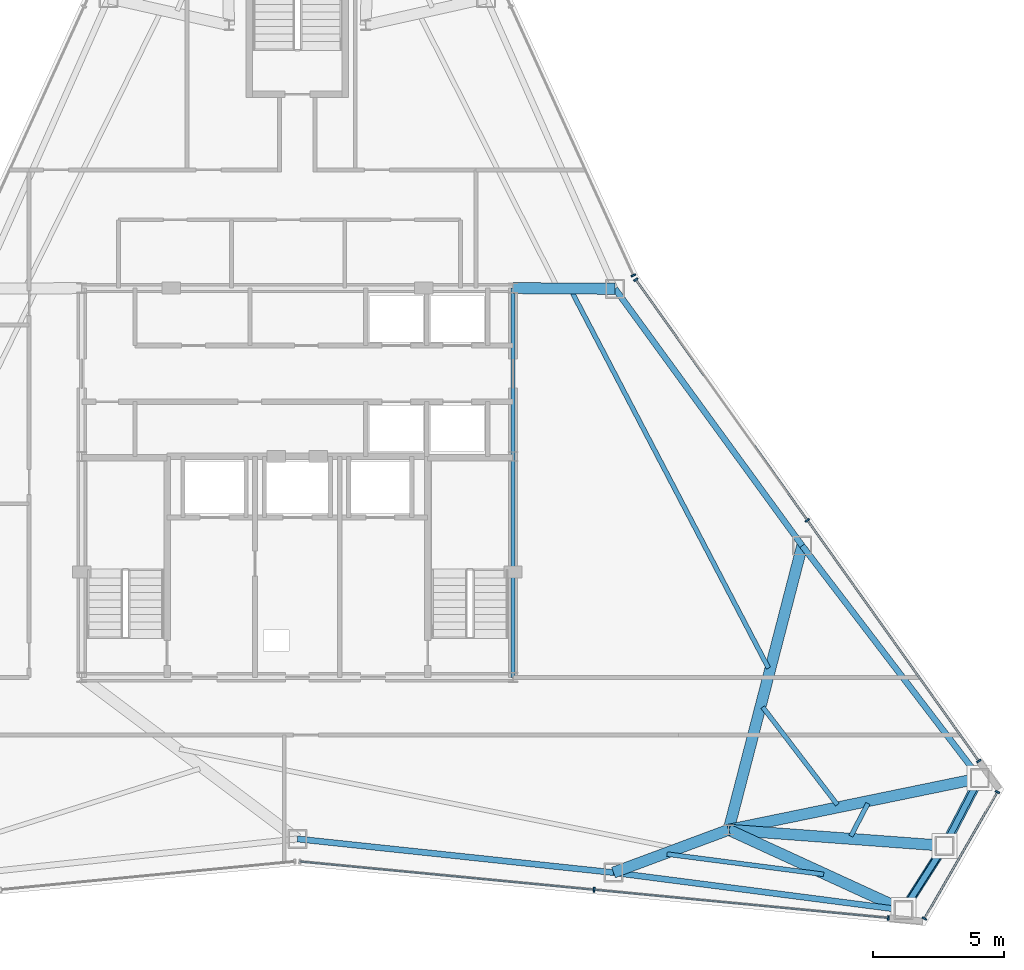
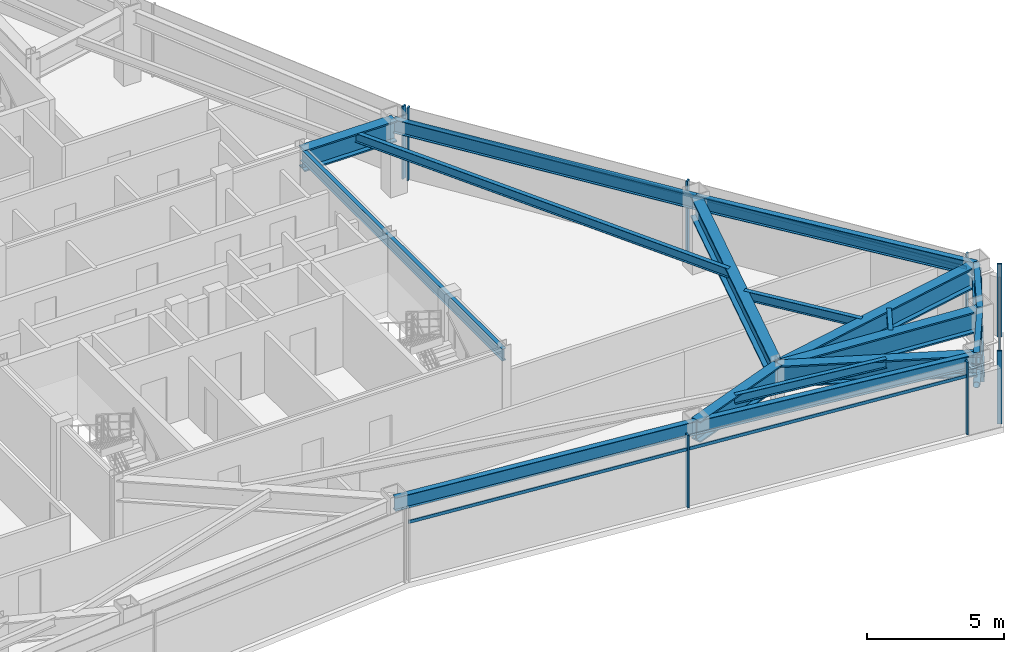
# One storey, part 6 of 12: 17 beams, 14 members, 4 elements without a shape of their own.
"""IFC4 building model written with IfcOpenShell, lengths in metres."""

from ifc_helpers import new_model, si_unit, direction, frame, origin, origin_2d, place, context, subcontext, project, spatial, rectangle, hollow_rectangle, hollow_circle, i_section, extrude, source, transform, mapped, material, layer, layer_set, material_profile, profile_set, type_object, type_shapes, element, aggregate, save


model = new_model("IFC4")

# Units and contexts
model_context = context("Model", 3, precision=1e-05, world=origin(), true_north=direction((0.0, 1.0)))
body_context = subcontext(model_context, "Body", "Model", "MODEL_VIEW")
ifc_project = project(units=[si_unit("LENGTHUNIT", "METRE"), si_unit("AREAUNIT", "SQUARE_METRE"), si_unit("VOLUMEUNIT", "CUBIC_METRE"), si_unit("PLANEANGLEUNIT", "RADIAN"), si_unit("MASSUNIT", "GRAM", prefix="KILO")], contexts=[model_context])

# Site, building, storey
site_placement = place(None, origin())
site = spatial("IfcSite", under=ifc_project, at=site_placement, CompositionType="ELEMENT")
building_placement = place(site_placement, origin())
building = spatial("IfcBuilding", under=site, at=building_placement, Name="Varakhsha Concourse Tower", CompositionType="ELEMENT")
storey_placement = place(building_placement, frame((0.0, 0.0, 243.39990234375)))
storey = spatial("IfcBuildingStorey", under=building, at=storey_placement, Name="L69", CompositionType="ELEMENT", Elevation=243.39990234375)

# Beams
ifc_material_1 = material(Name="Structural Steel ASTM A992 Grade 50", Category="steel")
ifc_material_profile_1 = material_profile(ifc_material_1, i_section(OverallWidth=0.177978515625, OverallDepth=0.406982421875, WebThickness=0.008056640625, FlangeThickness=0.012939453125, at=origin_2d()), Name="W16X40")
ifc_profile_set_1 = profile_set([ifc_material_profile_1], Name="Structural Steel ASTM A992 Grade 50")
beam_type_1 = type_object("IfcBeamType", Name="BM-JST-W16X40", PredefinedType="JOIST", material=ifc_profile_set_1)
beam_1_placement = place(storey_placement, frame((54.056396484375, 9.6748046875, 3.046630859375), z_axis=(0.991734895487, -0.128303924619, 0.0), x_axis=(0.128303924619, 0.991734895487, 0.0)))
element("IfcBeam", 1, at=beam_1_placement, inside=storey, type_object=beam_type_1, Name="BM-TJST-L69-12", PredefinedType="JOIST", context=body_context, shape_type="SweptSolid", body=[
    extrude(i_section(OverallWidth=0.177978515625, OverallDepth=0.406982421875, WebThickness=0.008056640625, FlangeThickness=0.012939453125, at=origin_2d()), origin(), (0.0, 0.0, 1.0), 6.009033203125),
])
beam_2_placement = place(storey_placement, frame((61.04833984375, 10.356689453125, 3.046630859375), z_axis=(0.461692171136, 0.887040212793, 0.0), x_axis=(-0.887040212793, 0.461692171136, 0.0)))
element("IfcBeam", 2, at=beam_2_placement, inside=storey, type_object=beam_type_1, Name="BM-TJST-L69-14", PredefinedType="JOIST", context=body_context, shape_type="SweptSolid", body=[
    extrude(i_section(OverallWidth=0.177978515625, OverallDepth=0.406982421875, WebThickness=0.008056640625, FlangeThickness=0.012939453125, at=origin_2d()), origin(), (0.0, 0.0, 1.0), 1.404052734375),
])
beam_3_placement = place(storey_placement, frame((60.53466796875, 11.551513671875, 3.046630859375), z_axis=(-0.606963389055, 0.794729793293, 0.0), x_axis=(-0.794729793293, -0.606963389055, 0.0)))
element("IfcBeam", 3, at=beam_3_placement, inside=storey, type_object=beam_type_1, Name="BM-TJST-L69-15", PredefinedType="JOIST", context=body_context, shape_type="SweptSolid", body=[
    extrude(i_section(OverallWidth=0.177978515625, OverallDepth=0.406982421875, WebThickness=0.008056640625, FlangeThickness=0.012939453125, at=origin_2d()), origin(), (0.0, 0.0, 1.0), 4.67431640625),
])
beam_4_placement = place(storey_placement, frame((57.915283203125, 16.747802734375, 3.046630859375), z_axis=(-0.463071311645, 0.88632102555, 0.0), x_axis=(-0.88632102555, -0.463071311645, 0.0)))
element("IfcBeam", 4, at=beam_4_placement, inside=storey, type_object=beam_type_1, Name="BM-TJST-L69-16", PredefinedType="JOIST", context=body_context, shape_type="SweptSolid", body=[
    extrude(i_section(OverallWidth=0.177978515625, OverallDepth=0.406982421875, WebThickness=0.008056640625, FlangeThickness=0.012939453125, at=origin_2d()), origin(), (0.0, 0.0, 1.0), 16.179443359375),
])
ifc_material_profile_2 = material_profile(ifc_material_1, i_section(OverallWidth=0.423095703125, OverallDepth=0.947998046875, WebThickness=0.0380859375, FlangeThickness=0.06396484375, at=origin_2d()), Name="W36X302")
ifc_profile_set_2 = profile_set([ifc_material_profile_2], Name="Structural Steel ASTM A992 Grade 50")
beam_type_2 = type_object("IfcBeamType", Name="BM-OUTR-W36X302", PredefinedType="USERDEFINED", material=ifc_profile_set_2)
beam_5_placement = place(storey_placement, frame((56.39990234375, 10.60009765625, 2.776123046875), z_axis=(-0.937398468599, -0.348258684125, 0.0), x_axis=(0.348258684125, -0.937398468599, 0.0)))
element("IfcBeam", 5, at=beam_5_placement, inside=storey, type_object=beam_type_2, Name="L69 Radial Floor Girder 12", ObjectType="GIRDER", PredefinedType="USERDEFINED", context=body_context, shape_type="SweptSolid", body=[
    extrude(i_section(OverallWidth=0.423095703125, OverallDepth=0.947998046875, WebThickness=0.0380859375, FlangeThickness=0.06396484375, at=origin_2d()), origin(), (0.0, 0.0, 1.0), 4.67236328125),
])
beam_6_placement = place(storey_placement, frame((56.39990234375, 10.60009765625, 2.776123046875), z_axis=(0.908783517298, -0.417267921948, 0.0), x_axis=(0.417267921948, 0.908783517298, 0.0)))
element("IfcBeam", 6, at=beam_6_placement, inside=storey, type_object=beam_type_2, Name="L69 Radial Floor Girder 13", ObjectType="GIRDER", PredefinedType="USERDEFINED", context=body_context, shape_type="SweptSolid", body=[
    extrude(i_section(OverallWidth=0.423095703125, OverallDepth=0.947998046875, WebThickness=0.0380859375, FlangeThickness=0.06396484375, at=origin_2d()), origin(), (0.0, 0.0, 1.0), 7.319580078125),
])
beam_7_placement = place(storey_placement, frame((56.39990234375, 10.60009765625, 2.776123046875), z_axis=(0.997263464351, -0.073929579132, 0.0), x_axis=(0.073929579132, 0.997263464351, 0.0)))
element("IfcBeam", 7, at=beam_7_placement, inside=storey, type_object=beam_type_2, Name="L69 Radial Floor Girder 14", ObjectType="GIRDER", PredefinedType="USERDEFINED", context=body_context, shape_type="SweptSolid", body=[
    extrude(i_section(OverallWidth=0.423095703125, OverallDepth=0.947998046875, WebThickness=0.0380859375, FlangeThickness=0.06396484375, at=origin_2d()), origin(), (0.0, 0.0, 1.0), 8.232666015625),
])
beam_8_placement = place(storey_placement, frame((56.39990234375, 10.60009765625, 2.776123046875), z_axis=(0.979503861801, 0.201425382503, 0.0), x_axis=(-0.201425382503, 0.979503861801, 0.0)))
element("IfcBeam", 8, at=beam_8_placement, inside=storey, type_object=beam_type_2, Name="L69 Radial Floor Girder 15", ObjectType="GIRDER", PredefinedType="USERDEFINED", context=body_context, shape_type="SweptSolid", body=[
    extrude(i_section(OverallWidth=0.423095703125, OverallDepth=0.947998046875, WebThickness=0.0380859375, FlangeThickness=0.06396484375, at=origin_2d()), origin(), (0.0, 0.0, 1.0), 9.74853515625),
])
beam_9_placement = place(storey_placement, frame((56.39990234375, 10.60009765625, 2.776123046875), z_axis=(0.250634171989, 0.968081872484, 0.0), x_axis=(-0.968081872484, 0.250634171989, 0.0)))
element("IfcBeam", 9, at=beam_9_placement, inside=storey, type_object=beam_type_2, Name="L69 Radial Floor Girder 16", ObjectType="GIRDER", PredefinedType="USERDEFINED", context=body_context, shape_type="SweptSolid", body=[
    extrude(i_section(OverallWidth=0.423095703125, OverallDepth=0.947998046875, WebThickness=0.0380859375, FlangeThickness=0.06396484375, at=origin_2d()), origin(), (0.0, 0.0, 1.0), 11.16015625),
])
beam_10_placement = place(storey_placement, frame((48.199951171875, 31.199951171875, 2.776123046875), z_axis=(0.999977325921, -0.00673406595, 0.0), x_axis=(0.00673406595, 0.999977325921, 0.0)))
element("IfcBeam", 10, at=beam_10_placement, inside=storey, type_object=beam_type_2, Name="L69 Radial Floor Girder 17", ObjectType="GIRDER", PredefinedType="USERDEFINED", context=body_context, shape_type="SweptSolid", body=[
    extrude(i_section(OverallWidth=0.423095703125, OverallDepth=0.947998046875, WebThickness=0.0380859375, FlangeThickness=0.06396484375, at=origin_2d()), origin(), (0.0, 0.0, 1.0), 3.879150390625),
])
ifc_material_profile_3 = material_profile(ifc_material_1, i_section(OverallWidth=0.1669921875, OverallDepth=0.534912109375, WebThickness=0.010009765625, FlangeThickness=0.01708984375, at=origin_2d()), Name="W21X57")
ifc_profile_set_3 = profile_set([ifc_material_profile_3], Name="Structural Steel ASTM A992 Grade 50")
beam_type_3 = type_object("IfcBeamType", Name="BM-RAD-W21X57", PredefinedType="BEAM", material=ifc_profile_set_3)
beam_11_placement = place(storey_placement, frame((48.199951171875, 16.39990234375, 2.982666015625), z_axis=(0.0, 1.0, 0.0), x_axis=(-1.0, 0.0, 0.0)))
element("IfcBeam", 11, at=beam_11_placement, inside=storey, type_object=beam_type_3, Name="BM-TCORE-L69-CE", PredefinedType="BEAM", context=body_context, shape_type="SweptSolid", body=[
    extrude(i_section(OverallWidth=0.1669921875, OverallDepth=0.534912109375, WebThickness=0.010009765625, FlangeThickness=0.01708984375, at=origin_2d()), origin(), (0.0, 0.0, 1.0), 14.800048828125),
])
ifc_material_profile_4 = material_profile(ifc_material_1, i_section(OverallWidth=0.22900390625, OverallDepth=0.612060546875, WebThickness=0.011962890625, FlangeThickness=0.02001953125, at=origin_2d()), Name="W24X84")
ifc_profile_set_4 = profile_set([ifc_material_profile_4], Name="Structural Steel ASTM A992 Grade 50")
beam_type_4 = type_object("IfcBeamType", Name="BM-SPAN-W24X84", PredefinedType="SPANDREL", material=ifc_profile_set_4)
beam_12_placement = place(storey_placement, frame((40.0, 10.252197265625, 2.944091796875), z_axis=(0.994383939653, -0.1058327953, 0.0), x_axis=(0.1058327953, 0.994383939653, 0.0)))
element("IfcBeam", 12, at=beam_12_placement, inside=storey, type_object=beam_type_4, Name="BM-SPAN-L69-11", PredefinedType="SPANDREL", context=body_context, shape_type="SweptSolid", body=[
    extrude(i_section(OverallWidth=0.22900390625, OverallDepth=0.612060546875, WebThickness=0.011962890625, FlangeThickness=0.02001953125, at=origin_2d()), origin(), (0.0, 0.0, 1.0), 12.087890625),
])
beam_13_placement = place(storey_placement, frame((52.02001953125, 8.972900390625, 2.944091796875), z_axis=(0.991737290812, -0.128285408418, 0.0), x_axis=(0.128285408418, 0.991737290812, 0.0)))
element("IfcBeam", 13, at=beam_13_placement, inside=storey, type_object=beam_type_4, Name="BM-SPAN-L69-12", PredefinedType="SPANDREL", context=body_context, shape_type="SweptSolid", body=[
    extrude(i_section(OverallWidth=0.22900390625, OverallDepth=0.612060546875, WebThickness=0.011962890625, FlangeThickness=0.02001953125, at=origin_2d()), origin(), (0.0, 0.0, 1.0), 11.12353515625),
])
beam_14_placement = place(storey_placement, frame((63.0517578125, 7.5458984375, 2.944091796875), z_axis=(0.537387469164, 0.843335465865, 0.0), x_axis=(-0.843335465865, 0.537387469164, 0.0)))
element("IfcBeam", 14, at=beam_14_placement, inside=storey, type_object=beam_type_4, Name="BM-SPAN-L69-13", PredefinedType="SPANDREL", context=body_context, shape_type="SweptSolid", body=[
    extrude(i_section(OverallWidth=0.22900390625, OverallDepth=0.612060546875, WebThickness=0.011962890625, FlangeThickness=0.02001953125, at=origin_2d()), origin(), (0.0, 0.0, 1.0), 2.89990234375),
])
beam_15_placement = place(storey_placement, frame((64.610107421875, 9.991455078125, 2.944091796875), z_axis=(0.461636364541, 0.887069257123, 0.0), x_axis=(-0.887069257123, 0.461636364541, 0.0)))
element("IfcBeam", 15, at=beam_15_placement, inside=storey, type_object=beam_type_4, Name="BM-SPAN-L69-14", PredefinedType="SPANDREL", context=body_context, shape_type="SweptSolid", body=[
    extrude(i_section(OverallWidth=0.22900390625, OverallDepth=0.612060546875, WebThickness=0.011962890625, FlangeThickness=0.02001953125, at=origin_2d()), origin(), (0.0, 0.0, 1.0), 2.899658203125),
])
beam_16_placement = place(storey_placement, frame((65.94873046875, 12.563720703125, 2.944091796875), z_axis=(-0.606965274868, 0.794728353027, 0.0), x_axis=(-0.794728353027, -0.606965274868, 0.0)))
element("IfcBeam", 16, at=beam_16_placement, inside=storey, type_object=beam_type_4, Name="BM-SPAN-L69-15", PredefinedType="SPANDREL", context=body_context, shape_type="SweptSolid", body=[
    extrude(i_section(OverallWidth=0.22900390625, OverallDepth=0.612060546875, WebThickness=0.011962890625, FlangeThickness=0.02001953125, at=origin_2d()), origin(), (0.0, 0.0, 1.0), 11.123779296875),
])
beam_17_placement = place(storey_placement, frame((59.197021484375, 21.404052734375, 2.944091796875), z_axis=(-0.588854814451, 0.808238830729, 0.0), x_axis=(-0.808238830729, -0.588854814451, 0.0)))
element("IfcBeam", 17, at=beam_17_placement, inside=storey, type_object=beam_type_4, Name="BM-SPAN-L69-16", PredefinedType="SPANDREL", context=body_context, shape_type="SweptSolid", body=[
    extrude(i_section(OverallWidth=0.22900390625, OverallDepth=0.612060546875, WebThickness=0.011962890625, FlangeThickness=0.02001953125, at=origin_2d()), origin(), (0.0, 0.0, 1.0), 12.087646484375),
])

# Members
ifc_material_2 = material(Name="Structural Steel ASTM A500 Grade C", Category="steel")
ifc_material_profile_5 = material_profile(ifc_material_2, hollow_rectangle(XDim=0.35009765625, YDim=0.35009765625, WallThickness=0.01611328125, at=origin_2d()), Name="HSS 350x350x16")
ifc_profile_set_5 = profile_set([ifc_material_profile_5], Name="Structural Steel ASTM A500 Grade C")
member_type_1 = type_object("IfcMemberType", Name="MB-TUBE-HSS350", PredefinedType="BRACE", material=ifc_profile_set_5)
shared_shape_1 = source(origin(), body_context, "Body", "SweptSolid", [
    extrude(hollow_rectangle(XDim=0.35009765625, YDim=0.35009765625, WallThickness=0.01611328125, at=origin_2d()), origin(), (0.0, 0.0, 1.0), 4.052001953125),
])
type_shapes(member_type_1, [shared_shape_1])
for number, where, z_axis, x_axis, name in (
    (18, (64.610107421875, 9.991455078125, 0.1201171875), (-0.384589647292, -0.603546059365, 0.69844323851), (0.843335465865, -0.537387469164, 0.0), "L69 Wind-Corner Tube Brace B05"),
    (19, (64.610107421875, 9.991455078125, 0.1201171875), (0.330370119642, 0.634831220234, 0.698458950736), (-0.887069257123, 0.461636364541, 0.0), "L69 Wind-Corner Tube Brace B06"),
):
    element("IfcMember", number, at=place(storey_placement, frame(where, z_axis=z_axis, x_axis=x_axis)), inside=storey, type_object=member_type_1, Name=name, PredefinedType="BRACE", context=body_context, shape_type="MappedRepresentation", body=[
        mapped(shared_shape_1, transform((0.0, 0.0, 0.0), scale=1.0)),
    ])
ifc_material_profile_6 = material_profile(ifc_material_2, hollow_circle(Radius=0.136474609375, WallThickness=0.011962890625, at=origin_2d()), Name="CHS 273x12")
ifc_profile_set_6 = profile_set([ifc_material_profile_6], Name="Structural Steel ASTM A500 Grade C")
member_type_2 = type_object("IfcMemberType", Name="MB-WIND-CHS273", PredefinedType="COLLAR", material=ifc_profile_set_6)
shared_shape_2 = source(origin(), body_context, "Body", "SweptSolid", [
    extrude(hollow_circle(Radius=0.136474609375, WallThickness=0.011962890625, at=origin_2d()), origin(), (0.0, 0.0, 1.0), 2.89990234375),
])
type_shapes(member_type_2, [shared_shape_2])
member_1_placement = place(storey_placement, frame((63.0517578125, 7.5458984375, 1.800048828125), z_axis=(0.537387469164, 0.843335465865, 0.0), x_axis=(-0.843335465865, 0.537387469164, 0.0)))
element("IfcMember", 20, at=member_1_placement, inside=storey, type_object=member_type_2, Name="L69 Wind-Corner Collar Tie 3", PredefinedType="COLLAR", context=body_context, shape_type="MappedRepresentation", body=[
    mapped(shared_shape_2, transform((0.0, 0.0, 0.0), scale=1.0)),
])

# Curtain wall, members
ifc_material_3 = material(Name="Anodised Bronze Architectural Aluminium AA 6063-T6", Category="aluminium")
ifc_layer = layer(ifc_material_3, 0.199951171875, Name="CW-SYS-05")
ifc_layer_set = layer_set([ifc_layer], Name="Anodised Bronze Architectural Aluminium AA 6063-T6")
curtain_wall_type = type_object("IfcCurtainWallType", Name="CW-SYS-05", PredefinedType="NOTDEFINED", material=ifc_layer_set)
curtain_wall_1_placement = place(storey_placement, origin())
curtain_wall_1 = element("IfcCurtainWall", 21, at=curtain_wall_1_placement, inside=storey, type_object=curtain_wall_type, Name="L69 Crystal Curtain Wall F6", PredefinedType="NOTDEFINED")
ifc_material_profile_7 = material_profile(ifc_material_3, rectangle(XDim=0.06494140625, YDim=0.179931640625, at=origin_2d()), Name="CWM-180X65")
ifc_profile_set_7 = profile_set([ifc_material_profile_7], Name="Anodised Bronze Architectural Aluminium AA 6063-T6")
member_type_3 = type_object("IfcMemberType", Name="CWM-180X65", PredefinedType="MULLION", material=ifc_profile_set_7)
shared_shape_3 = source(origin(), body_context, "Body", "SweptSolid", [
    extrude(rectangle(XDim=0.06494140625, YDim=0.179931640625, at=origin_2d()), origin(), (0.0, 0.0, 1.0), 3.25),
])
type_shapes(member_type_3, [shared_shape_3])
member_2_placement = place(storey_placement, frame((62.473876953125, 7.248046875, 0.0), z_axis=(0.0, 0.0, 1.0), x_axis=(-0.995442585703, 0.095362773497, 0.0)))
member_2 = element("IfcMember", 22, at=member_2_placement, type_object=member_type_3, Name="CW-L69-F6 Mullion 00", PredefinedType="MULLION", context=body_context, shape_type="MappedRepresentation", body=[
    mapped(shared_shape_3, transform((0.0, 0.0, 0.0), scale=1.0)),
])
member_3_placement = place(storey_placement, frame((51.2841796875, 8.320068359375, 0.0), z_axis=(0.0, 0.0, 1.0), x_axis=(-0.995442585703, 0.095362773497, 0.0)))
member_3 = element("IfcMember", 23, at=member_3_placement, type_object=member_type_3, Name="CW-L69-F6 Mullion 01", PredefinedType="MULLION", context=body_context, shape_type="MappedRepresentation", body=[
    mapped(shared_shape_3, transform((0.0, 0.0, 0.0), scale=1.0)),
])

curtain_wall_2_placement = place(storey_placement, origin())
curtain_wall_2 = element("IfcCurtainWall", 24, at=curtain_wall_2_placement, inside=storey, type_object=curtain_wall_type, Name="L69 Chamfer Curtain Wall F7", PredefinedType="NOTDEFINED")
member_4_placement = place(storey_placement, frame((66.62353515625, 12.0390625, 0.0), z_axis=(0.0, 0.0, 1.0), x_axis=(-0.499992442484, -0.866029767075, 0.0)))
member_4 = element("IfcMember", 25, at=member_4_placement, type_object=member_type_3, Name="CW-L69-F7 Mullion 00", PredefinedType="MULLION", context=body_context, shape_type="MappedRepresentation", body=[
    mapped(shared_shape_3, transform((0.0, 0.0, 0.0), scale=1.0)),
])
member_5_placement = place(storey_placement, frame((63.843505859375, 7.223876953125, 0.0), z_axis=(0.0, 0.0, 1.0), x_axis=(-0.499992442484, -0.866029767075, 0.0)))
member_5 = element("IfcMember", 26, at=member_5_placement, type_object=member_type_3, Name="CW-L69-F7 Mullion 01", PredefinedType="MULLION", context=body_context, shape_type="MappedRepresentation", body=[
    mapped(shared_shape_3, transform((0.0, 0.0, 0.0), scale=1.0)),
])

curtain_wall_3_placement = place(storey_placement, origin())
curtain_wall_3 = element("IfcCurtainWall", 27, at=curtain_wall_3_placement, inside=storey, type_object=curtain_wall_type, Name="L69 Crystal Curtain Wall F8", PredefinedType="NOTDEFINED")
member_6_placement = place(storey_placement, frame((52.87158203125, 31.52197265625, 0.0), z_axis=(0.0, 0.0, 1.0), x_axis=(0.580306455883, -0.814398193306, 0.0)))
member_6 = element("IfcMember", 28, at=member_6_placement, type_object=member_type_3, Name="CW-L69-F8 Mullion 00", PredefinedType="MULLION", context=body_context, shape_type="MappedRepresentation", body=[
    mapped(shared_shape_3, transform((0.0, 0.0, 0.0), scale=1.0)),
])
member_7_placement = place(storey_placement, frame((59.394775390625, 22.367431640625, 0.0), z_axis=(0.0, 0.0, 1.0), x_axis=(0.580306455883, -0.814398193306, 0.0)))
member_7 = element("IfcMember", 29, at=member_7_placement, type_object=member_type_3, Name="CW-L69-F8 Mullion 01", PredefinedType="MULLION", context=body_context, shape_type="MappedRepresentation", body=[
    mapped(shared_shape_3, transform((0.0, 0.0, 0.0), scale=1.0)),
])
member_8_placement = place(storey_placement, frame((65.917724609375, 13.213134765625, 0.0), z_axis=(0.0, 0.0, 1.0), x_axis=(0.580306455883, -0.814398193306, 0.0)))
member_8 = element("IfcMember", 30, at=member_8_placement, type_object=member_type_3, Name="CW-L69-F8 Mullion 02", PredefinedType="MULLION", context=body_context, shape_type="MappedRepresentation", body=[
    mapped(shared_shape_3, transform((0.0, 0.0, 0.0), scale=1.0)),
])

# Curtain wall, member
curtain_wall_4_placement = place(storey_placement, origin())
curtain_wall_4 = element("IfcCurtainWall", 31, at=curtain_wall_4_placement, inside=storey, type_object=curtain_wall_type, Name="L69 Crystal Curtain Wall F9", PredefinedType="NOTDEFINED")
member_9_placement = place(storey_placement, frame((52.776611328125, 31.686279296875, 0.0), z_axis=(0.0, 0.0, 1.0), x_axis=(0.415133120597, -0.909760678521, 0.0)))
member_9 = element("IfcMember", 32, at=member_9_placement, type_object=member_type_3, Name="CW-L69-F9 Mullion 02", PredefinedType="MULLION", context=body_context, shape_type="MappedRepresentation", body=[
    mapped(shared_shape_3, transform((0.0, 0.0, 0.0), scale=1.0)),
])
aggregate(curtain_wall_4, [member_9])

# Member
ifc_material_profile_8 = material_profile(ifc_material_3, rectangle(XDim=0.06005859375, YDim=0.139892578125, at=origin_2d()), Name="CWT-140X60")
ifc_profile_set_8 = profile_set([ifc_material_profile_8], Name="Anodised Bronze Architectural Aluminium AA 6063-T6")
member_type_4 = type_object("IfcMemberType", Name="CWT-140X60", PredefinedType="USERDEFINED", material=ifc_profile_set_8)
shared_shape_4 = source(origin(), body_context, "Body", "SweptSolid", [
    extrude(rectangle(XDim=0.06005859375, YDim=0.139892578125, at=origin_2d()), origin(), (0.0, 0.0, 1.0), 5.56005859375),
])
member_10_placement = place(storey_placement, frame((66.62353515625, 12.0390625, 2.60009765625), z_axis=(-0.49999738653, -0.866026912667, 0.0), x_axis=(0.866026912667, -0.49999738653, 0.0)))
member_10 = element("IfcMember", 33, at=member_10_placement, type_object=member_type_4, Name="CW-L69-F7 Transom 01", ObjectType="TRANSOM", PredefinedType="USERDEFINED", context=body_context, shape_type="MappedRepresentation", body=[
    mapped(shared_shape_4, transform((0.0, 0.0, 0.0), scale=1.0)),
])

aggregate(curtain_wall_2, [member_4, member_5, member_10])

shared_shape_5 = source(origin(), body_context, "Body", "SweptSolid", [
    extrude(rectangle(XDim=0.06005859375, YDim=0.139892578125, at=origin_2d()), origin(), (0.0, 0.0, 1.0), 22.4814453125),
])
type_shapes(member_type_4, [shared_shape_4, shared_shape_5])
member_11_placement = place(storey_placement, frame((62.473876953125, 7.248046875, 2.60009765625), z_axis=(-0.995442950153, 0.095358969119, 0.0), x_axis=(-0.095358969119, -0.995442950153, 0.0)))
member_11 = element("IfcMember", 34, at=member_11_placement, type_object=member_type_4, Name="CW-L69-F6 Transom 01", ObjectType="TRANSOM", PredefinedType="USERDEFINED", context=body_context, shape_type="MappedRepresentation", body=[
    mapped(shared_shape_5, transform((0.0, 0.0, 0.0), scale=1.0)),
])

aggregate(curtain_wall_1, [member_2, member_3, member_11])

member_12_placement = place(storey_placement, frame((52.87158203125, 31.52197265625, 2.60009765625), z_axis=(0.580307112199, -0.814397725642, 0.0), x_axis=(0.814397725642, 0.580307112199, 0.0)))
member_12 = element("IfcMember", 35, at=member_12_placement, type_object=member_type_4, Name="CW-L69-F8 Transom 01", ObjectType="TRANSOM", PredefinedType="USERDEFINED", context=body_context, shape_type="MappedRepresentation", body=[
    mapped(shared_shape_5, transform((0.0, 0.0, 0.0), scale=1.0)),
])

aggregate(curtain_wall_3, [member_6, member_7, member_8, member_12])

save(model, "model.ifc")
